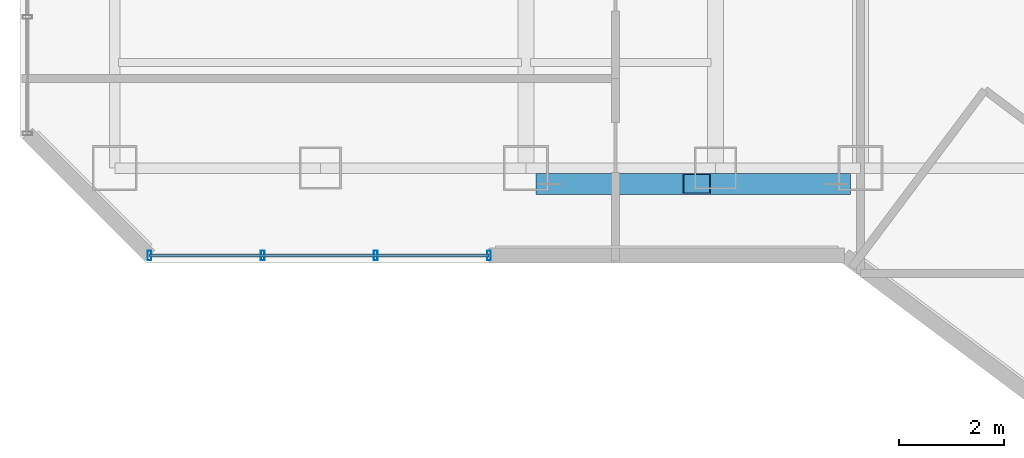
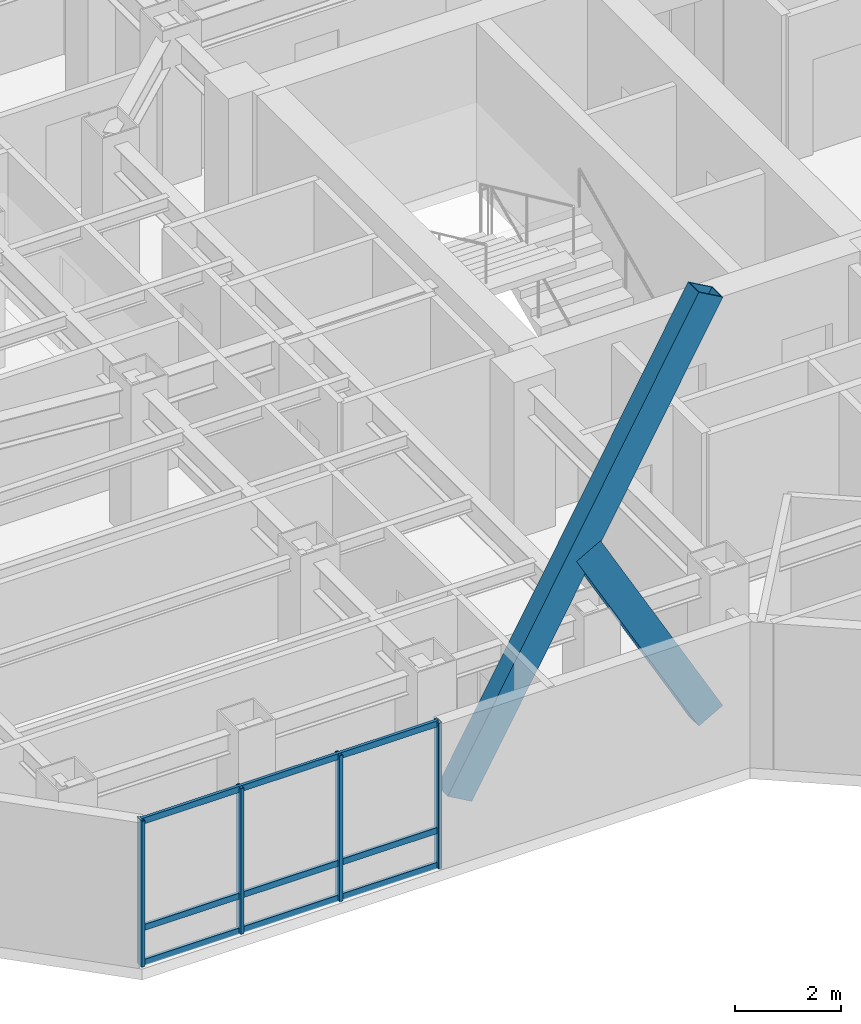
# One storey, part 2 of 27: 9 members, 1 element without a shape of its own.
"""IFC4 building model written with IfcOpenShell, lengths in metres."""

from ifc_helpers import new_model, si_unit, direction, frame, origin, origin_2d, place, context, subcontext, project, spatial, hollow_rectangle, extrude, material, layer, layer_set, material_profile, profile_set, type_object, element, aggregate, save


model = new_model("IFC4")

# Units and contexts
model_context = context("Model", 3, precision=1e-05, world=origin(), true_north=direction((0.0, 1.0)))
body_context = subcontext(model_context, "Body", "Model", "MODEL_VIEW")
ifc_project = project(units=[si_unit("LENGTHUNIT", "METRE"), si_unit("AREAUNIT", "SQUARE_METRE"), si_unit("VOLUMEUNIT", "CUBIC_METRE"), si_unit("PLANEANGLEUNIT", "RADIAN"), si_unit("MASSUNIT", "GRAM", prefix="KILO")], contexts=[model_context])

# Site, building, storey
site_placement = place(None, origin())
site = spatial("IfcSite", under=ifc_project, at=site_placement, CompositionType="ELEMENT")
building_placement = place(site_placement, origin())
building = spatial("IfcBuilding", under=site, at=building_placement, Name="Hatsunagi Terrace Concourse", CompositionType="ELEMENT")
storey_placement = place(building_placement, frame((0.0, 0.0, 145.64990234375)))
storey = spatial("IfcBuildingStorey", under=building, at=storey_placement, Name="L38", CompositionType="ELEMENT", Elevation=145.64990234375)

# Curtain wall, members
ifc_material_1 = material(Name="Anodised Aluminium Alloy 6063-T5", Category="aluminium")
ifc_layer = layer(ifc_material_1, 0.199951171875)
ifc_layer_set = layer_set([ifc_layer], Name="OfficeZone1_CW03")
curtain_wall_type = type_object("IfcCurtainWallType", Name="OfficeZone1_CW03", PredefinedType="NOTDEFINED", material=ifc_layer_set)
curtain_wall_placement = place(storey_placement, origin())
curtain_wall = element("IfcCurtainWall", 1, at=curtain_wall_placement, inside=storey, type_object=curtain_wall_type, Name="Unitised Curtain Wall CW-03 CW-L38-07", PredefinedType="NOTDEFINED")
ifc_material_2 = material(Name="Anodised Aluminium Alloy 6063-T5", Category="aluminium")
ifc_material_profile_1 = material_profile(ifc_material_2, hollow_rectangle(XDim=0.070068359375, YDim=0.179931640625, WallThickness=0.00390625, at=origin_2d()), Name="ALU-MUL-180x70x4")
ifc_profile_set_1 = profile_set([ifc_material_profile_1], Name="Anodised Aluminium Alloy 6063-T5")
member_type_1 = type_object("IfcMemberType", Name="CurtainWallMullion_180x70", PredefinedType="MULLION", material=ifc_profile_set_1)
member_1_placement = place(storey_placement, frame((18.5, 23.5400390625, 0.0), z_axis=(0.0, 0.0, 1.0), x_axis=(-1.0, 0.0, 0.0)))
member_1 = element("IfcMember", 2, at=member_1_placement, type_object=member_type_1, Name="Curtain Wall Mullion MUL-02", PredefinedType="MULLION", context=body_context, shape_type="SweptSolid", body=[
    extrude(hollow_rectangle(XDim=0.070068359375, YDim=0.179931640625, WallThickness=0.00390625, at=origin_2d()), origin(), (0.0, 0.0, 1.0), 3.35009765625),
])
member_2_placement = place(storey_placement, frame((16.35302734375, 23.5400390625, 0.0), z_axis=(0.0, 0.0, 1.0), x_axis=(-1.0, 0.0, 0.0)))
member_2 = element("IfcMember", 3, at=member_2_placement, type_object=member_type_1, Name="Curtain Wall Mullion MUL-02", PredefinedType="MULLION", context=body_context, shape_type="SweptSolid", body=[
    extrude(hollow_rectangle(XDim=0.070068359375, YDim=0.179931640625, WallThickness=0.00390625, at=origin_2d()), origin(), (0.0, 0.0, 1.0), 3.35009765625),
])
member_3_placement = place(storey_placement, frame((14.205078125, 23.5400390625, 0.0), z_axis=(0.0, 0.0, 1.0), x_axis=(-1.0, 0.0, 0.0)))
member_3 = element("IfcMember", 4, at=member_3_placement, type_object=member_type_1, Name="Curtain Wall Mullion MUL-02", PredefinedType="MULLION", context=body_context, shape_type="SweptSolid", body=[
    extrude(hollow_rectangle(XDim=0.070068359375, YDim=0.179931640625, WallThickness=0.00390625, at=origin_2d()), origin(), (0.0, 0.0, 1.0), 3.35009765625),
])
member_4_placement = place(storey_placement, frame((12.05810546875, 23.5400390625, 0.0), z_axis=(0.0, 0.0, 1.0), x_axis=(-1.0, 0.0, 0.0)))
member_4 = element("IfcMember", 5, at=member_4_placement, type_object=member_type_1, Name="Curtain Wall Mullion MUL-02", PredefinedType="MULLION", context=body_context, shape_type="SweptSolid", body=[
    extrude(hollow_rectangle(XDim=0.070068359375, YDim=0.179931640625, WallThickness=0.00390625, at=origin_2d()), origin(), (0.0, 0.0, 1.0), 3.35009765625),
])
ifc_material_3 = material(Name="Anodised Aluminium Alloy 6063-T5", Category="aluminium")
ifc_material_profile_2 = material_profile(ifc_material_3, hollow_rectangle(XDim=0.06494140625, YDim=0.139892578125, WallThickness=0.00390625, at=origin_2d()), Name="ALU-TRN-140x65x4")
ifc_profile_set_2 = profile_set([ifc_material_profile_2], Name="Anodised Aluminium Alloy 6063-T5")
member_type_2 = type_object("IfcMemberType", Name="CurtainWallTransom_140x65", PredefinedType="USERDEFINED", material=ifc_profile_set_2)
member_5_placement = place(storey_placement, frame((18.5, 23.5400390625, 0.050048828125), z_axis=(-1.0, 0.0, 0.0), x_axis=(0.0, -1.0, 0.0)))
member_5 = element("IfcMember", 6, at=member_5_placement, type_object=member_type_2, Name="Curtain Wall Transom TRN-02", ObjectType="TRANSOM", PredefinedType="USERDEFINED", context=body_context, shape_type="SweptSolid", body=[
    extrude(hollow_rectangle(XDim=0.06494140625, YDim=0.139892578125, WallThickness=0.00390625, at=origin_2d()), origin(), (0.0, 0.0, 1.0), 6.44189453125),
])
member_6_placement = place(storey_placement, frame((18.5, 23.5400390625, 0.85009765625), z_axis=(-1.0, 0.0, 0.0), x_axis=(0.0, -1.0, 0.0)))
member_6 = element("IfcMember", 7, at=member_6_placement, type_object=member_type_2, Name="Curtain Wall Transom TRN-02", ObjectType="TRANSOM", PredefinedType="USERDEFINED", context=body_context, shape_type="SweptSolid", body=[
    extrude(hollow_rectangle(XDim=0.06494140625, YDim=0.139892578125, WallThickness=0.00390625, at=origin_2d()), origin(), (0.0, 0.0, 1.0), 6.44189453125),
])
member_7_placement = place(storey_placement, frame((18.5, 23.5400390625, 3.300048828125), z_axis=(-1.0, 0.0, 0.0), x_axis=(0.0, -1.0, 0.0)))
member_7 = element("IfcMember", 8, at=member_7_placement, type_object=member_type_2, Name="Curtain Wall Transom TRN-02", ObjectType="TRANSOM", PredefinedType="USERDEFINED", context=body_context, shape_type="SweptSolid", body=[
    extrude(hollow_rectangle(XDim=0.06494140625, YDim=0.139892578125, WallThickness=0.00390625, at=origin_2d()), origin(), (0.0, 0.0, 1.0), 6.44189453125),
])
aggregate(curtain_wall, [member_1, member_2, member_3, member_4, member_5, member_6, member_7])

# Members
ifc_material_4 = material(Name="Steel SN490B", Category="steel")
ifc_material_profile_3 = material_profile(ifc_material_4, hollow_rectangle(XDim=0.39990234375, YDim=0.60009765625, WallThickness=0.02490234375, at=origin_2d()), Name="RHS-600x400x25")
ifc_profile_set_3 = profile_set([ifc_material_profile_3], Name="Steel SN490B")
member_type_3 = type_object("IfcMemberType", Name="PerimeterXBrace_Mid_RHS_600x400x25", PredefinedType="BRACE", material=ifc_profile_set_3)
member_8_placement = place(storey_placement, frame((19.64990234375, 24.89990234375, 0.440185546875), z_axis=(0.491004565733, 0.0, 0.871156998726), x_axis=(0.0, 1.0, 0.0)))
element("IfcMember", 9, at=member_8_placement, inside=storey, type_object=member_type_3, Name="Perimeter X-Brace XB-02 XB-L38-W1A", PredefinedType="BRACE", context=body_context, shape_type="SweptSolid", body=[
    extrude(hollow_rectangle(XDim=0.39990234375, YDim=0.60009765625, WallThickness=0.02490234375, at=origin_2d()), origin(), (0.0, 0.0, 1.0), 11.10009765625),
])
member_9_placement = place(storey_placement, frame((22.444091796875, 24.89990234375, 5.153076171875), z_axis=(0.490963868484, 0.0, -0.8711799354), x_axis=(0.0, 1.0, 0.0)))
element("IfcMember", 10, at=member_9_placement, inside=storey, type_object=member_type_3, Name="Perimeter X-Brace Split Lower XB-02 XB-L38-W1B2", PredefinedType="BRACE", context=body_context, shape_type="SweptSolid", body=[
    extrude(hollow_rectangle(XDim=0.39990234375, YDim=0.60009765625, WallThickness=0.02490234375, at=origin_2d()), origin(), (0.0, 0.0, 1.0), 5.40966796875),
])

save(model, "model.ifc")
